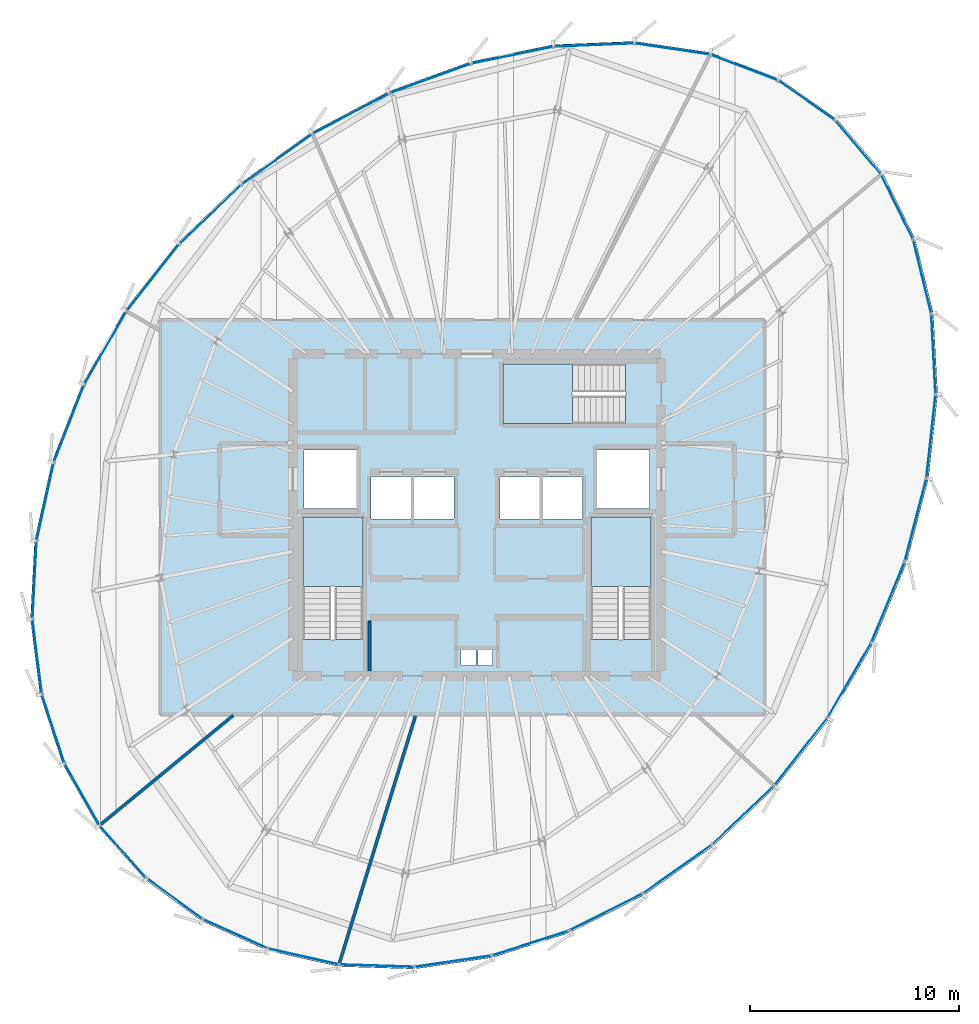
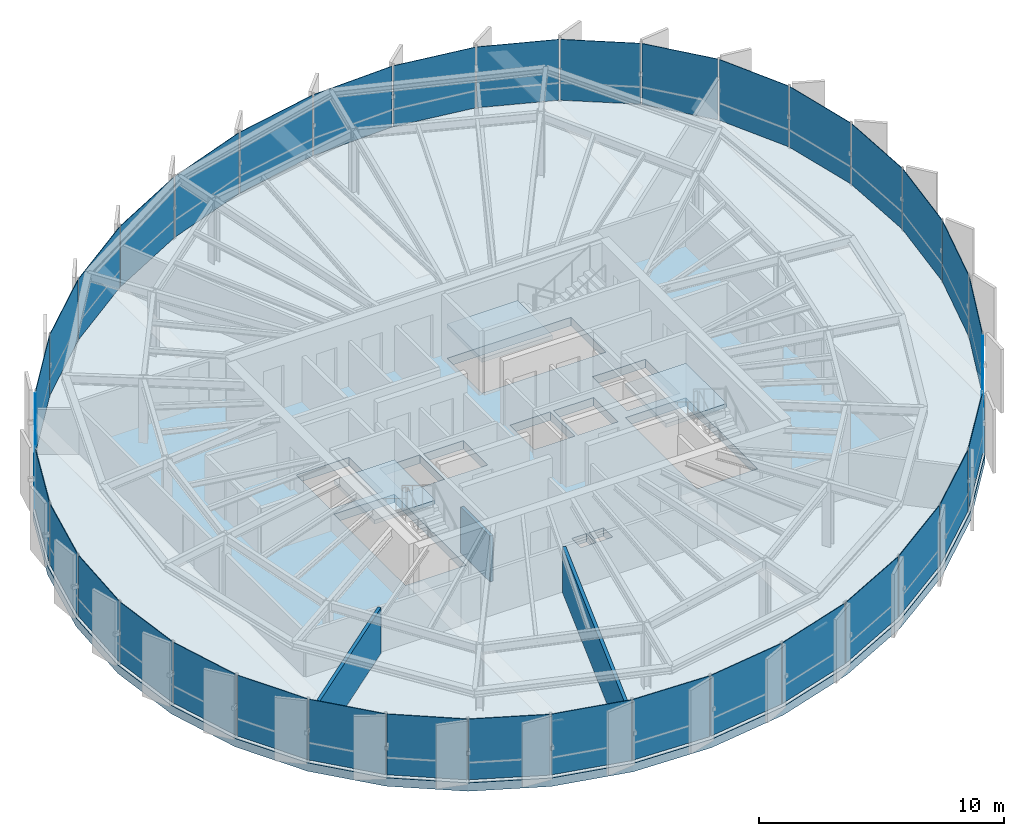
# One storey, part 28 of 36: 36 plates, 4 slabs, 3 walls, 9 elements without a shape of their own.
"""IFC4 building model written with IfcOpenShell, lengths in metres."""

from ifc_helpers import new_model, si_unit, direction, frame, frame_2d, origin, origin_2d, place, context, subcontext, project, spatial, polyline, rectangle, outline, extrude, source, transform, mapped, material, layer, layer_set, type_object, element, aggregate, save


model = new_model("IFC4")

# Units and contexts
model_context = context("Model", 3, precision=1e-05, world=origin(), true_north=direction((0.0, 1.0)))
body_context = subcontext(model_context, "Body", "Model", "MODEL_VIEW")
ifc_project = project(units=[si_unit("LENGTHUNIT", "METRE"), si_unit("AREAUNIT", "SQUARE_METRE"), si_unit("VOLUMEUNIT", "CUBIC_METRE"), si_unit("PLANEANGLEUNIT", "RADIAN"), si_unit("MASSUNIT", "GRAM", prefix="KILO"), si_unit("THERMODYNAMICTEMPERATUREUNIT", "KELVIN")], contexts=[model_context])

# Site, building, storey
site_placement = place(None, origin())
site = spatial("IfcSite", under=ifc_project, at=site_placement, CompositionType="ELEMENT")
building_placement = place(site_placement, origin())
building = spatial("IfcBuilding", under=site, at=building_placement, Name="Kethvar Cultural Tower", CompositionType="ELEMENT")
storey_placement = place(building_placement, frame((0.0, 0.0, 228.39990234375)))
storey = spatial("IfcBuildingStorey", under=building, at=storey_placement, Name="L59", CompositionType="ELEMENT", Elevation=228.39990234375)

# Stair, slab
ifc_material_1 = material(Name="Concrete C40/50", Category="concrete")
stair_type = type_object("IfcStairType", Name="ST-DOGLEG-135", PredefinedType="HALF_TURN_STAIR", material=ifc_material_1)
stair_1_placement = place(storey_placement, origin())
stair_1 = element("IfcStair", 1, at=stair_1_placement, inside=storey, type_object=stair_type, Name="L59 Core Exit Stair 1", PredefinedType="HALF_TURN_STAIR")
ifc_layer_1 = layer(ifc_material_1, 0.199951171875, Name="Concrete C40/50", Category="concrete")
ifc_layer_set_1 = layer_set([ifc_layer_1], Name="Concrete C40/50 (200 mm)")
slab_type_1 = type_object("IfcSlabType", Name="SL-STAIR-LANDING-200", PredefinedType="LANDING", material=ifc_layer_set_1)
slab_1_placement = place(storey_placement, frame((0.0, 0.0, 1.525146484375)))
slab_1 = element("IfcSlab", 2, at=slab_1_placement, type_object=slab_type_1, Name="ST-01 landing 1", PredefinedType="LANDING", context=body_context, shape_type="SweptSolid", body=[
    extrude(outline(polyline([(41.35009765625, 24.3701171875), (41.35009765625, 27.699951171875), (38.489990234375, 27.699951171875), (38.489990234375, 24.3701171875), (41.35009765625, 24.3701171875)])), origin(), (0.0, 0.0, 1.0), 0.199951171875),
])
aggregate(stair_1, [slab_1])

stair_2_placement = place(storey_placement, origin())
stair_2 = element("IfcStair", 3, at=stair_2_placement, inside=storey, type_object=stair_type, Name="L59 Core Exit Stair 2", PredefinedType="HALF_TURN_STAIR")
slab_2_placement = place(storey_placement, frame((0.0, 0.0, 1.525146484375)))
slab_2 = element("IfcSlab", 4, at=slab_2_placement, type_object=slab_type_1, Name="ST-02 landing 1", PredefinedType="LANDING", context=body_context, shape_type="SweptSolid", body=[
    extrude(outline(polyline([(55.110107421875, 24.3701171875), (55.110107421875, 27.699951171875), (52.25, 27.699951171875), (52.25, 24.3701171875), (55.110107421875, 24.3701171875)])), origin(), (0.0, 0.0, 1.0), 0.199951171875),
])
aggregate(stair_2, [slab_2])

stair_3_placement = place(storey_placement, origin())
stair_3 = element("IfcStair", 5, at=stair_3_placement, inside=storey, type_object=stair_type, Name="L59 Core Exit Stair 3", PredefinedType="HALF_TURN_STAIR")
slab_3_placement = place(storey_placement, frame((0.0, 0.0, 1.525146484375)))
slab_3 = element("IfcSlab", 6, at=slab_3_placement, type_object=slab_type_1, Name="ST-03 landing 1", PredefinedType="LANDING", context=body_context, shape_type="SweptSolid", body=[
    extrude(outline(polyline([(51.3798828125, 35.010009765625), (48.050048828125, 35.010009765625), (48.050048828125, 32.14990234375), (51.3798828125, 32.14990234375), (51.3798828125, 35.010009765625)])), origin(), (0.0, 0.0, 1.0), 0.199951171875),
])
aggregate(stair_3, [slab_3])

# Slab
ifc_material_2 = material(Name="Concrete C50/60", Category="concrete")
ifc_layer_2 = layer(ifc_material_2, 0.419921875, Name="Concrete C50/60", Category="concrete")
ifc_layer_set_2 = layer_set([ifc_layer_2], Name="Concrete C50/60 (420 mm)")
slab_type_2 = type_object("IfcSlabType", Name="SL-TRANS-420", PredefinedType="FLOOR", material=ifc_layer_set_2)
slab_4_placement = place(storey_placement, frame((0.0, 0.0, -0.419921875)))
element("IfcSlab", 7, at=slab_4_placement, inside=storey, type_object=slab_type_2, Name="L59 Structural Floor Slab", PredefinedType="FLOOR", context=body_context, shape_type="SweptSolid", body=[
    extrude(outline(polyline([(64.000732421875, 46.70361328125), (61.22900390625, 48.64013671875), (57.96533203125, 49.885009765625), (54.328125, 50.4208984375), (50.455322265625, 50.261962890625), (46.4951171875, 49.44677734375), (42.59521484375, 48.02978515625), (38.89208984375, 46.07421875), (35.503173828125, 43.644287109375), (32.51611328125, 40.79736328125), (29.97998046875, 37.57421875), (27.954833984375, 34.05419921875), (26.50244140625, 30.343994140625), (25.66650390625, 26.556396484375), (25.472900390625, 22.806884765625), (25.927490234375, 19.208984375), (27.01611328125, 15.8720703125), (28.705810546875, 12.8974609375), (30.9453125, 10.375732421875), (33.66650390625, 8.383544921875), (36.78662109375, 6.981201171875), (40.211181640625, 6.21142578125), (43.8359375, 6.09765625), (47.55078125, 6.643310546875), (51.242919921875, 7.831787109375), (54.7998046875, 9.626953125), (58.11376953125, 11.974365234375), (61.083984375, 14.802490234375), (63.636962890625, 18.04443359375), (65.7373046875, 21.647216796875), (67.335693359375, 25.517578125), (68.37939453125, 29.533447265625), (68.818359375, 33.552978515625), (68.612060546875, 37.423583984375), (67.736083984375, 40.994384765625), (66.189697265625, 44.126220703125), (64.000732421875, 46.70361328125)]), holes=[polyline([(38.489990234375, 21.85009765625), (38.489990234375, 27.699951171875), (41.35009765625, 27.699951171875), (41.35009765625, 21.85009765625), (38.489990234375, 21.85009765625)]), polyline([(52.25, 21.85009765625), (52.25, 27.699951171875), (55.110107421875, 27.699951171875), (55.110107421875, 21.85009765625), (52.25, 21.85009765625)]), polyline([(53.89990234375, 32.14990234375), (48.050048828125, 32.14990234375), (48.050048828125, 35.010009765625), (53.89990234375, 35.010009765625), (53.89990234375, 32.14990234375)]), polyline([(41.75, 29.60009765625), (43.64990234375, 29.60009765625), (43.64990234375, 27.60009765625), (41.75, 27.60009765625), (41.75, 29.60009765625)]), polyline([(43.800048828125, 29.60009765625), (45.699951171875, 29.60009765625), (45.699951171875, 27.60009765625), (43.800048828125, 27.60009765625), (43.800048828125, 29.60009765625)]), polyline([(47.89990234375, 29.60009765625), (49.800048828125, 29.60009765625), (49.800048828125, 27.60009765625), (47.89990234375, 27.60009765625), (47.89990234375, 29.60009765625)]), polyline([(49.949951171875, 29.60009765625), (51.85009765625, 29.60009765625), (51.85009765625, 27.60009765625), (49.949951171875, 27.60009765625), (49.949951171875, 29.60009765625)]), polyline([(38.550048828125, 30.89990234375), (41.050048828125, 30.89990234375), (41.050048828125, 28.10009765625), (38.550048828125, 28.10009765625), (38.550048828125, 30.89990234375)]), polyline([(52.550048828125, 30.89990234375), (55.050048828125, 30.89990234375), (55.050048828125, 28.10009765625), (52.550048828125, 28.10009765625), (52.550048828125, 30.89990234375)]), polyline([(46.050048828125, 21.35009765625), (46.75, 21.35009765625), (46.75, 20.60009765625), (46.050048828125, 20.60009765625), (46.050048828125, 21.35009765625)]), polyline([(46.85009765625, 21.35009765625), (47.550048828125, 21.35009765625), (47.550048828125, 20.60009765625), (46.85009765625, 20.60009765625), (46.85009765625, 21.35009765625)])]), origin(), (0.0, 0.0, 1.0), 0.419921875),
])

# Curtain wall, plate
ifc_material_3 = material(Name="Aluminium 6063-T6", Category="aluminium")
ifc_layer_3 = layer(ifc_material_3, 0.179931640625, Name="Aluminium 6063-T6", Category="aluminium")
ifc_layer_set_3 = layer_set([ifc_layer_3], Name="Aluminium 6063-T6 (180 mm)")
curtain_wall_type = type_object("IfcCurtainWallType", Name="CW-SYS-05-Z56", PredefinedType="NOTDEFINED", material=ifc_layer_set_3)
curtain_wall_1_placement = place(storey_placement, origin())
curtain_wall_1 = element("IfcCurtainWall", 8, at=curtain_wall_1_placement, inside=storey, type_object=curtain_wall_type, Name="L59 Curtain Wall Run 01", PredefinedType="NOTDEFINED")
ifc_material_4 = material(Name="Insulated Low-E Solar Glass", Category="glass")
ifc_layer_4 = layer(ifc_material_4, 0.028076171875, Name="Insulated Low-E Solar Glass", Category="glass")
ifc_layer_set_4 = layer_set([ifc_layer_4], Name="Insulated Low-E Solar Glass (28 mm)")
plate_type = type_object("IfcPlateType", Name="CW-SYS-05-Z56-PNL", PredefinedType="CURTAIN_PANEL", material=ifc_layer_set_4)
shared_shape_1 = source(origin(), body_context, "Body", "SweptSolid", [
    extrude(rectangle(XDim=3.30224609375, YDim=0.028076171875, at=origin_2d()), origin(), (0.0, 0.0, 1.0), 3.030029296875),
])
plate_1_placement = place(storey_placement, frame((62.5576171875, 47.58984375, 0.08984375), z_axis=(0.0, 0.0, 1.0), x_axis=(-0.819722254284, 0.572761229337, 0.0)))
plate_1 = element("IfcPlate", 9, at=plate_1_placement, type_object=plate_type, Name="CW-L59-R01 Vision Glazing Panel 1", PredefinedType="CURTAIN_PANEL", context=body_context, shape_type="MappedRepresentation", body=[
    mapped(shared_shape_1, transform((0.0, 0.0, 0.0), scale=1.0)),
])

curtain_wall_2_placement = place(storey_placement, origin())
curtain_wall_2 = element("IfcCurtainWall", 10, at=curtain_wall_2_placement, inside=storey, type_object=curtain_wall_type, Name="L59 Curtain Wall Run 06", PredefinedType="NOTDEFINED")
plate_2_placement = place(storey_placement, frame((65.01904296875, 45.35009765625, 0.08984375), z_axis=(0.0, 0.0, 1.0), x_axis=(-0.647361973467, 0.762182704677, 0.0)))
plate_2 = element("IfcPlate", 11, at=plate_2_placement, type_object=plate_type, Name="CW-L59-R06 Vision Glazing Panel 6", PredefinedType="CURTAIN_PANEL", context=body_context, shape_type="MappedRepresentation", body=[
    mapped(shared_shape_1, transform((0.0, 0.0, 0.0), scale=1.0)),
])

# Plate
shared_shape_2 = source(origin(), body_context, "Body", "SweptSolid", [
    extrude(rectangle(XDim=3.413818359375, YDim=0.028076171875, at=origin_2d()), origin(), (0.0, 0.0, 1.0), 3.030029296875),
])
plate_3_placement = place(storey_placement, frame((59.5615234375, 49.169189453125, 0.08984375), z_axis=(0.0, 0.0, 1.0), x_axis=(-0.934341383009, 0.356379264263, 0.0)))
plate_3 = element("IfcPlate", 12, at=plate_3_placement, type_object=plate_type, Name="CW-L59-R01 Vision Glazing Panel 2", PredefinedType="CURTAIN_PANEL", context=body_context, shape_type="MappedRepresentation", body=[
    mapped(shared_shape_2, transform((0.0, 0.0, 0.0), scale=1.0)),
])

plate_4_placement = place(storey_placement, frame((66.873291015625, 42.51611328125, 0.08984375), z_axis=(0.0, 0.0, 1.0), x_axis=(-0.442726932093, 0.896656491417, 0.0)))
plate_4 = element("IfcPlate", 13, at=plate_4_placement, type_object=plate_type, Name="CW-L59-R06 Vision Glazing Panel 5", PredefinedType="CURTAIN_PANEL", context=body_context, shape_type="MappedRepresentation", body=[
    mapped(shared_shape_2, transform((0.0, 0.0, 0.0), scale=1.0)),
])

shared_shape_3 = source(origin(), body_context, "Body", "SweptSolid", [
    extrude(rectangle(XDim=3.59716796875, YDim=0.028076171875, at=origin_2d()), origin(), (0.0, 0.0, 1.0), 3.030029296875),
])
plate_5_placement = place(storey_placement, frame((56.132080078125, 50.053955078125, 0.08984375), z_axis=(0.0, 0.0, 1.0), x_axis=(-0.989318177481, 0.145772232289, 0.0)))
plate_5 = element("IfcPlate", 14, at=plate_5_placement, type_object=plate_type, Name="CW-L59-R01 Vision Glazing Panel 3", PredefinedType="CURTAIN_PANEL", context=body_context, shape_type="MappedRepresentation", body=[
    mapped(shared_shape_3, transform((0.0, 0.0, 0.0), scale=1.0)),
])

shared_shape_4 = source(origin(), body_context, "Body", "SweptSolid", [
    extrude(rectangle(XDim=3.796875, YDim=0.028076171875, at=origin_2d()), origin(), (0.0, 0.0, 1.0), 3.030029296875),
])
plate_6_placement = place(storey_placement, frame((52.39599609375, 50.24169921875, 0.08984375), z_axis=(0.0, 0.0, 1.0), x_axis=(-0.999159708556, -0.040986300124, 0.0)))
plate_6 = element("IfcPlate", 15, at=plate_6_placement, type_object=plate_type, Name="CW-L59-R01 Vision Glazing Panel 4", PredefinedType="CURTAIN_PANEL", context=body_context, shape_type="MappedRepresentation", body=[
    mapped(shared_shape_4, transform((0.0, 0.0, 0.0), scale=1.0)),
])

shared_shape_5 = source(origin(), body_context, "Body", "SweptSolid", [
    extrude(rectangle(XDim=3.964111328125, YDim=0.028076171875, at=origin_2d()), origin(), (0.0, 0.0, 1.0), 3.030029296875),
])
plate_7_placement = place(storey_placement, frame((48.495361328125, 49.75634765625, 0.08984375), z_axis=(0.0, 0.0, 1.0), x_axis=(-0.979459274561, -0.201642082605, 0.0)))
plate_7 = element("IfcPlate", 16, at=plate_7_placement, type_object=plate_type, Name="CW-L59-R01 Vision Glazing Panel 5", PredefinedType="CURTAIN_PANEL", context=body_context, shape_type="MappedRepresentation", body=[
    mapped(shared_shape_5, transform((0.0, 0.0, 0.0), scale=1.0)),
])

plate_8_placement = place(storey_placement, frame((68.49951171875, 31.55419921875, 0.08984375), z_axis=(0.0, 0.0, 1.0), x_axis=(0.108606627783, 0.994084805437, 0.0)))
plate_8 = element("IfcPlate", 17, at=plate_8_placement, type_object=plate_type, Name="CW-L59-R06 Vision Glazing Panel 2", PredefinedType="CURTAIN_PANEL", context=body_context, shape_type="MappedRepresentation", body=[
    mapped(shared_shape_5, transform((0.0, 0.0, 0.0), scale=1.0)),
])

shared_shape_6 = source(origin(), body_context, "Body", "SweptSolid", [
    extrude(rectangle(XDim=4.070068359375, YDim=0.028076171875, at=origin_2d()), origin(), (0.0, 0.0, 1.0), 3.030029296875),
])
plate_9_placement = place(storey_placement, frame((44.5791015625, 48.644287109375, 0.08984375), z_axis=(0.0, 0.0, 1.0), x_axis=(-0.939883494301, -0.341495266644, 0.0)))
plate_9 = element("IfcPlate", 18, at=plate_9_placement, type_object=plate_type, Name="CW-L59-R01 Vision Glazing Panel 6", PredefinedType="CURTAIN_PANEL", context=body_context, shape_type="MappedRepresentation", body=[
    mapped(shared_shape_6, transform((0.0, 0.0, 0.0), scale=1.0)),
])

aggregate(curtain_wall_1, [plate_1, plate_3, plate_5, plate_6, plate_7, plate_9])

# Curtain wall, plate
curtain_wall_3_placement = place(storey_placement, origin())
curtain_wall_3 = element("IfcCurtainWall", 19, at=curtain_wall_3_placement, inside=storey, type_object=curtain_wall_type, Name="L59 Curtain Wall Run 02", PredefinedType="NOTDEFINED")
shared_shape_7 = source(origin(), body_context, "Body", "SweptSolid", [
    extrude(rectangle(XDim=4.1083984375, YDim=0.028076171875, at=origin_2d()), origin(), (0.0, 0.0, 1.0), 3.030029296875),
])
plate_10_placement = place(storey_placement, frame((40.790283203125, 46.96337890625, 0.08984375), z_axis=(0.0, 0.0, 1.0), x_axis=(-0.884263311, -0.46698864742, 0.0)))
plate_10 = element("IfcPlate", 20, at=plate_10_placement, type_object=plate_type, Name="CW-L59-R02 Vision Glazing Panel 1", PredefinedType="CURTAIN_PANEL", context=body_context, shape_type="MappedRepresentation", body=[
    mapped(shared_shape_7, transform((0.0, 0.0, 0.0), scale=1.0)),
])

curtain_wall_4_placement = place(storey_placement, origin())
curtain_wall_4 = element("IfcCurtainWall", 21, at=curtain_wall_4_placement, inside=storey, type_object=curtain_wall_type, Name="L59 Curtain Wall Run 05", PredefinedType="NOTDEFINED")
plate_11_placement = place(storey_placement, frame((66.444091796875, 23.62060546875, 0.08984375), z_axis=(0.0, 0.0, 1.0), x_axis=(0.381715738328, 0.924279771018, 0.0)))
plate_11 = element("IfcPlate", 22, at=plate_11_placement, type_object=plate_type, Name="CW-L59-R05 Vision Glazing Panel 6", PredefinedType="CURTAIN_PANEL", context=body_context, shape_type="MappedRepresentation", body=[
    mapped(shared_shape_7, transform((0.0, 0.0, 0.0), scale=1.0)),
])

# Plate
shared_shape_8 = source(origin(), body_context, "Body", "SweptSolid", [
    extrude(rectangle(XDim=4.091064453125, YDim=0.028076171875, at=origin_2d()), origin(), (0.0, 0.0, 1.0), 3.030029296875),
])
plate_12_placement = place(storey_placement, frame((37.256103515625, 44.778076171875, 0.08984375), z_axis=(0.0, 0.0, 1.0), x_axis=(-0.812683994442, -0.582704663769, 0.0)))
plate_12 = element("IfcPlate", 23, at=plate_12_placement, type_object=plate_type, Name="CW-L59-R02 Vision Glazing Panel 2", PredefinedType="CURTAIN_PANEL", context=body_context, shape_type="MappedRepresentation", body=[
    mapped(shared_shape_8, transform((0.0, 0.0, 0.0), scale=1.0)),
])

plate_13_placement = place(storey_placement, frame((64.600830078125, 19.89599609375, 0.08984375), z_axis=(0.0, 0.0, 1.0), x_axis=(0.503623201636, 0.863923417193, 0.0)))
plate_13 = element("IfcPlate", 24, at=plate_13_placement, type_object=plate_type, Name="CW-L59-R05 Vision Glazing Panel 5", PredefinedType="CURTAIN_PANEL", context=body_context, shape_type="MappedRepresentation", body=[
    mapped(shared_shape_8, transform((0.0, 0.0, 0.0), scale=1.0)),
])

shared_shape_9 = source(origin(), body_context, "Body", "SweptSolid", [
    extrude(rectangle(XDim=4.047119140625, YDim=0.028076171875, at=origin_2d()), origin(), (0.0, 0.0, 1.0), 3.030029296875),
])
plate_14_placement = place(storey_placement, frame((34.07861328125, 42.1484375, 0.08984375), z_axis=(0.0, 0.0, 1.0), x_axis=(-0.723907013164, -0.689897554925, 0.0)))
plate_14 = element("IfcPlate", 25, at=plate_14_placement, type_object=plate_type, Name="CW-L59-R02 Vision Glazing Panel 3", PredefinedType="CURTAIN_PANEL", context=body_context, shape_type="MappedRepresentation", body=[
    mapped(shared_shape_9, transform((0.0, 0.0, 0.0), scale=1.0)),
])

shared_shape_10 = source(origin(), body_context, "Body", "SweptSolid", [
    extrude(rectangle(XDim=4.022216796875, YDim=0.028076171875, at=origin_2d()), origin(), (0.0, 0.0, 1.0), 3.030029296875),
])
plate_15_placement = place(storey_placement, frame((31.32666015625, 39.1240234375, 0.08984375), z_axis=(0.0, 0.0, 1.0), x_axis=(-0.6183809634, -0.785878479222, 0.0)))
plate_15 = element("IfcPlate", 26, at=plate_15_placement, type_object=plate_type, Name="CW-L59-R02 Vision Glazing Panel 4", PredefinedType="CURTAIN_PANEL", context=body_context, shape_type="MappedRepresentation", body=[
    mapped(shared_shape_10, transform((0.0, 0.0, 0.0), scale=1.0)),
])

plate_16_placement = place(storey_placement, frame((59.52978515625, 13.4609375, 0.08984375), z_axis=(0.0, 0.0, 1.0), x_axis=(0.72419593326, 0.689594264949, 0.0)))
plate_16 = element("IfcPlate", 27, at=plate_16_placement, type_object=plate_type, Name="CW-L59-R05 Vision Glazing Panel 3", PredefinedType="CURTAIN_PANEL", context=body_context, shape_type="MappedRepresentation", body=[
    mapped(shared_shape_10, transform((0.0, 0.0, 0.0), scale=1.0)),
])

shared_shape_11 = source(origin(), body_context, "Body", "SweptSolid", [
    extrude(rectangle(XDim=3.981689453125, YDim=0.028076171875, at=origin_2d()), origin(), (0.0, 0.0, 1.0), 3.030029296875),
])
plate_17_placement = place(storey_placement, frame((29.053955078125, 35.764404296875, 0.08984375), z_axis=(0.0, 0.0, 1.0), x_axis=(-0.49866929125, -0.866792326895, 0.0)))
plate_17 = element("IfcPlate", 28, at=plate_17_placement, type_object=plate_type, Name="CW-L59-R02 Vision Glazing Panel 5", PredefinedType="CURTAIN_PANEL", context=body_context, shape_type="MappedRepresentation", body=[
    mapped(shared_shape_11, transform((0.0, 0.0, 0.0), scale=1.0)),
])

shared_shape_12 = source(origin(), body_context, "Body", "SweptSolid", [
    extrude(rectangle(XDim=3.905029296875, YDim=0.028076171875, at=origin_2d()), origin(), (0.0, 0.0, 1.0), 3.030029296875),
])
plate_18_placement = place(storey_placement, frame((27.32177734375, 32.16259765625, 0.08984375), z_axis=(0.0, 0.0, 1.0), x_axis=(-0.364535510058, -0.931189487649, 0.0)))
plate_18 = element("IfcPlate", 29, at=plate_18_placement, type_object=plate_type, Name="CW-L59-R02 Vision Glazing Panel 6", PredefinedType="CURTAIN_PANEL", context=body_context, shape_type="MappedRepresentation", body=[
    mapped(shared_shape_12, transform((0.0, 0.0, 0.0), scale=1.0)),
])

aggregate(curtain_wall_3, [plate_10, plate_12, plate_14, plate_15, plate_17, plate_18])

plate_19_placement = place(storey_placement, frame((52.976318359375, 8.818603515625, 0.08984375), z_axis=(0.0, 0.0, 1.0), x_axis=(0.892743150022, 0.450565941999, 0.0)))
plate_19 = element("IfcPlate", 30, at=plate_19_placement, type_object=plate_type, Name="CW-L59-R05 Vision Glazing Panel 1", PredefinedType="CURTAIN_PANEL", context=body_context, shape_type="MappedRepresentation", body=[
    mapped(shared_shape_12, transform((0.0, 0.0, 0.0), scale=1.0)),
])

# Curtain wall, plates
curtain_wall_5_placement = place(storey_placement, origin())
curtain_wall_5 = element("IfcCurtainWall", 31, at=curtain_wall_5_placement, inside=storey, type_object=curtain_wall_type, Name="L59 Curtain Wall Run 03", PredefinedType="NOTDEFINED")
shared_shape_13 = source(origin(), body_context, "Body", "SweptSolid", [
    extrude(rectangle(XDim=3.799560546875, YDim=0.028076171875, at=origin_2d()), origin(), (0.0, 0.0, 1.0), 3.030029296875),
])
plate_20_placement = place(storey_placement, frame((26.18212890625, 28.4287109375, 0.08984375), z_axis=(0.0, 0.0, 1.0), x_axis=(-0.215485294241, -0.976507085466, 0.0)))
plate_20 = element("IfcPlate", 32, at=plate_20_placement, type_object=plate_type, Name="CW-L59-R03 Vision Glazing Panel 1", PredefinedType="CURTAIN_PANEL", context=body_context, shape_type="MappedRepresentation", body=[
    mapped(shared_shape_13, transform((0.0, 0.0, 0.0), scale=1.0)),
])
shared_shape_14 = source(origin(), body_context, "Body", "SweptSolid", [
    extrude(rectangle(XDim=3.675537109375, YDim=0.028076171875, at=origin_2d()), origin(), (0.0, 0.0, 1.0), 3.030029296875),
])
plate_21_placement = place(storey_placement, frame((25.669677734375, 24.676513671875, 0.08984375), z_axis=(0.0, 0.0, 1.0), x_axis=(-0.051569048457, -0.998669431414, 0.0)))
plate_21 = element("IfcPlate", 33, at=plate_21_placement, type_object=plate_type, Name="CW-L59-R03 Vision Glazing Panel 2", PredefinedType="CURTAIN_PANEL", context=body_context, shape_type="MappedRepresentation", body=[
    mapped(shared_shape_14, transform((0.0, 0.0, 0.0), scale=1.0)),
])

# Curtain wall, plate
curtain_wall_6_placement = place(storey_placement, origin())
curtain_wall_6 = element("IfcCurtainWall", 34, at=curtain_wall_6_placement, inside=storey, type_object=curtain_wall_type, Name="L59 Curtain Wall Run 04", PredefinedType="NOTDEFINED")
plate_22_placement = place(storey_placement, frame((45.6787109375, 6.469482421875, 0.08984375), z_axis=(0.0, 0.0, 1.0), x_axis=(0.989381688438, 0.145340546938, 0.0)))
plate_22 = element("IfcPlate", 35, at=plate_22_placement, type_object=plate_type, Name="CW-L59-R04 Vision Glazing Panel 5", PredefinedType="CURTAIN_PANEL", context=body_context, shape_type="MappedRepresentation", body=[
    mapped(shared_shape_14, transform((0.0, 0.0, 0.0), scale=1.0)),
])

# Plate
shared_shape_15 = source(origin(), body_context, "Body", "SweptSolid", [
    extrude(rectangle(XDim=3.547119140625, YDim=0.028076171875, at=origin_2d()), origin(), (0.0, 0.0, 1.0), 3.030029296875),
])
plate_23_placement = place(storey_placement, frame((25.79931640625, 21.0205078125, 0.08984375), z_axis=(0.0, 0.0, 1.0), x_axis=(0.125298602152, -0.992119075665, 0.0)))
plate_23 = element("IfcPlate", 36, at=plate_23_placement, type_object=plate_type, Name="CW-L59-R03 Vision Glazing Panel 3", PredefinedType="CURTAIN_PANEL", context=body_context, shape_type="MappedRepresentation", body=[
    mapped(shared_shape_15, transform((0.0, 0.0, 0.0), scale=1.0)),
])

shared_shape_16 = source(origin(), body_context, "Body", "SweptSolid", [
    extrude(rectangle(XDim=3.430908203125, YDim=0.028076171875, at=origin_2d()), origin(), (0.0, 0.0, 1.0), 3.030029296875),
])
plate_24_placement = place(storey_placement, frame((26.56689453125, 17.571533203125, 0.08984375), z_axis=(0.0, 0.0, 1.0), x_axis=(0.310145513072, -0.950689097824, 0.0)))
plate_24 = element("IfcPlate", 37, at=plate_24_placement, type_object=plate_type, Name="CW-L59-R03 Vision Glazing Panel 4", PredefinedType="CURTAIN_PANEL", context=body_context, shape_type="MappedRepresentation", body=[
    mapped(shared_shape_16, transform((0.0, 0.0, 0.0), scale=1.0)),
])

plate_25_placement = place(storey_placement, frame((38.52099609375, 6.69384765625, 0.08984375), z_axis=(0.0, 0.0, 1.0), x_axis=(0.975661004456, -0.219284300357, 0.0)))
plate_25 = element("IfcPlate", 38, at=plate_25_placement, type_object=plate_type, Name="CW-L59-R04 Vision Glazing Panel 3", PredefinedType="CURTAIN_PANEL", context=body_context, shape_type="MappedRepresentation", body=[
    mapped(shared_shape_16, transform((0.0, 0.0, 0.0), scale=1.0)),
])

shared_shape_17 = source(origin(), body_context, "Body", "SweptSolid", [
    extrude(rectangle(XDim=3.341796875, YDim=0.028076171875, at=origin_2d()), origin(), (0.0, 0.0, 1.0), 3.030029296875),
])
plate_26_placement = place(storey_placement, frame((27.94775390625, 14.43408203125, 0.08984375), z_axis=(0.0, 0.0, 1.0), x_axis=(0.49392669096, -0.869503550285, 0.0)))
plate_26 = element("IfcPlate", 39, at=plate_26_placement, type_object=plate_type, Name="CW-L59-R03 Vision Glazing Panel 5", PredefinedType="CURTAIN_PANEL", context=body_context, shape_type="MappedRepresentation", body=[
    mapped(shared_shape_17, transform((0.0, 0.0, 0.0), scale=1.0)),
])

plate_27_placement = place(storey_placement, frame((35.267578125, 7.773681640625, 0.08984375), z_axis=(0.0, 0.0, 1.0), x_axis=(0.912120116172, -0.409923033842, 0.0)))
plate_27 = element("IfcPlate", 40, at=plate_27_placement, type_object=plate_type, Name="CW-L59-R04 Vision Glazing Panel 2", PredefinedType="CURTAIN_PANEL", context=body_context, shape_type="MappedRepresentation", body=[
    mapped(shared_shape_17, transform((0.0, 0.0, 0.0), scale=1.0)),
])

shared_shape_18 = source(origin(), body_context, "Body", "SweptSolid", [
    extrude(rectangle(XDim=3.29345703125, YDim=0.028076171875, at=origin_2d()), origin(), (0.0, 0.0, 1.0), 3.030029296875),
])
plate_28_placement = place(storey_placement, frame((29.900146484375, 11.703125, 0.08984375), z_axis=(0.0, 0.0, 1.0), x_axis=(0.664030618491, -0.747705381622, 0.0)))
plate_28 = element("IfcPlate", 41, at=plate_28_placement, type_object=plate_type, Name="CW-L59-R03 Vision Glazing Panel 6", PredefinedType="CURTAIN_PANEL", context=body_context, shape_type="MappedRepresentation", body=[
    mapped(shared_shape_18, transform((0.0, 0.0, 0.0), scale=1.0)),
])

aggregate(curtain_wall_5, [plate_20, plate_21, plate_23, plate_24, plate_26, plate_28])

plate_29_placement = place(storey_placement, frame((32.364990234375, 9.46044921875, 0.08984375), z_axis=(0.0, 0.0, 1.0), x_axis=(0.806867530067, -0.590732417363, 0.0)))
plate_29 = element("IfcPlate", 42, at=plate_29_placement, type_object=plate_type, Name="CW-L59-R04 Vision Glazing Panel 1", PredefinedType="CURTAIN_PANEL", context=body_context, shape_type="MappedRepresentation", body=[
    mapped(shared_shape_18, transform((0.0, 0.0, 0.0), scale=1.0)),
])

shared_shape_19 = source(origin(), body_context, "Body", "SweptSolid", [
    extrude(rectangle(XDim=3.54736328125, YDim=0.028076171875, at=origin_2d()), origin(), (0.0, 0.0, 1.0), 3.030029296875),
])
plate_30_placement = place(storey_placement, frame((42.02685546875, 6.254638671875, 0.08984375), z_axis=(0.0, 0.0, 1.0), x_axis=(0.999507656199, -0.031375869698, 0.0)))
plate_30 = element("IfcPlate", 43, at=plate_30_placement, type_object=plate_type, Name="CW-L59-R04 Vision Glazing Panel 4", PredefinedType="CURTAIN_PANEL", context=body_context, shape_type="MappedRepresentation", body=[
    mapped(shared_shape_19, transform((0.0, 0.0, 0.0), scale=1.0)),
])

shared_shape_20 = source(origin(), body_context, "Body", "SweptSolid", [
    extrude(rectangle(XDim=3.79931640625, YDim=0.028076171875, at=origin_2d()), origin(), (0.0, 0.0, 1.0), 3.030029296875),
])
plate_31_placement = place(storey_placement, frame((49.3662109375, 7.332763671875, 0.08984375), z_axis=(0.0, 0.0, 1.0), x_axis=(0.951899702874, 0.306409783897, 0.0)))
plate_31 = element("IfcPlate", 44, at=plate_31_placement, type_object=plate_type, Name="CW-L59-R04 Vision Glazing Panel 6", PredefinedType="CURTAIN_PANEL", context=body_context, shape_type="MappedRepresentation", body=[
    mapped(shared_shape_20, transform((0.0, 0.0, 0.0), scale=1.0)),
])

aggregate(curtain_wall_6, [plate_29, plate_27, plate_25, plate_30, plate_22, plate_31])

shared_shape_21 = source(origin(), body_context, "Body", "SweptSolid", [
    extrude(rectangle(XDim=3.98193359375, YDim=0.028076171875, at=origin_2d()), origin(), (0.0, 0.0, 1.0), 3.030029296875),
])
plate_32_placement = place(storey_placement, frame((56.39892578125, 10.88232421875, 0.08984375), z_axis=(0.0, 0.0, 1.0), x_axis=(0.81602663434, 0.578014300902, 0.0)))
plate_32 = element("IfcPlate", 45, at=plate_32_placement, type_object=plate_type, Name="CW-L59-R05 Vision Glazing Panel 2", PredefinedType="CURTAIN_PANEL", context=body_context, shape_type="MappedRepresentation", body=[
    mapped(shared_shape_21, transform((0.0, 0.0, 0.0), scale=1.0)),
])

shared_shape_22 = source(origin(), body_context, "Body", "SweptSolid", [
    extrude(rectangle(XDim=4.04736328125, YDim=0.028076171875, at=origin_2d()), origin(), (0.0, 0.0, 1.0), 3.030029296875),
])
plate_33_placement = place(storey_placement, frame((62.281982421875, 16.4853515625, 0.08984375), z_axis=(0.0, 0.0, 1.0), x_axis=(0.618710097148, 0.785619383472, 0.0)))
plate_33 = element("IfcPlate", 46, at=plate_33_placement, type_object=plate_type, Name="CW-L59-R05 Vision Glazing Panel 4", PredefinedType="CURTAIN_PANEL", context=body_context, shape_type="MappedRepresentation", body=[
    mapped(shared_shape_22, transform((0.0, 0.0, 0.0), scale=1.0)),
])

aggregate(curtain_wall_4, [plate_19, plate_32, plate_16, plate_33, plate_13, plate_11])

shared_shape_23 = source(origin(), body_context, "Body", "SweptSolid", [
    extrude(rectangle(XDim=4.0703125, YDim=0.028076171875, at=origin_2d()), origin(), (0.0, 0.0, 1.0), 3.030029296875),
])
plate_34_placement = place(storey_placement, frame((67.7607421875, 27.550537109375, 0.08984375), z_axis=(0.0, 0.0, 1.0), x_axis=(0.251528848198, 0.967849801635, 0.0)))
plate_34 = element("IfcPlate", 47, at=plate_34_placement, type_object=plate_type, Name="CW-L59-R06 Vision Glazing Panel 1", PredefinedType="CURTAIN_PANEL", context=body_context, shape_type="MappedRepresentation", body=[
    mapped(shared_shape_23, transform((0.0, 0.0, 0.0), scale=1.0)),
])

shared_shape_24 = source(origin(), body_context, "Body", "SweptSolid", [
    extrude(rectangle(XDim=3.797119140625, YDim=0.028076171875, at=origin_2d()), origin(), (0.0, 0.0, 1.0), 3.030029296875),
])
plate_35_placement = place(storey_placement, frame((68.615478515625, 35.48291015625, 0.08984375), z_axis=(0.0, 0.0, 1.0), x_axis=(-0.053224833435, 0.998582553976, 0.0)))
plate_35 = element("IfcPlate", 48, at=plate_35_placement, type_object=plate_type, Name="CW-L59-R06 Vision Glazing Panel 3", PredefinedType="CURTAIN_PANEL", context=body_context, shape_type="MappedRepresentation", body=[
    mapped(shared_shape_24, transform((0.0, 0.0, 0.0), scale=1.0)),
])

shared_shape_25 = source(origin(), body_context, "Body", "SweptSolid", [
    extrude(rectangle(XDim=3.597412109375, YDim=0.028076171875, at=origin_2d()), origin(), (0.0, 0.0, 1.0), 3.030029296875),
])
plate_36_placement = place(storey_placement, frame((68.076904296875, 39.18505859375, 0.08984375), z_axis=(0.0, 0.0, 1.0), x_axis=(-0.238245305742, 0.971205011464, 0.0)))
plate_36 = element("IfcPlate", 49, at=plate_36_placement, type_object=plate_type, Name="CW-L59-R06 Vision Glazing Panel 4", PredefinedType="CURTAIN_PANEL", context=body_context, shape_type="MappedRepresentation", body=[
    mapped(shared_shape_25, transform((0.0, 0.0, 0.0), scale=1.0)),
])

aggregate(curtain_wall_2, [plate_34, plate_8, plate_35, plate_36, plate_4, plate_2])

# Walls
ifc_material_5 = material(Name="Gypsum Fireboard Partition")
ifc_layer_5 = layer(ifc_material_5, 0.14990234375, Name="Gypsum Fireboard Partition")
ifc_layer_set_5 = layer_set([ifc_layer_5], Name="Gypsum Fireboard Partition (150 mm)")
wall_type_1 = type_object("IfcWallType", Name="WL-FIRE-150", PredefinedType="PARTITIONING", material=ifc_layer_set_5)
wall_1_placement = place(storey_placement, frame((41.679931640625, 20.3349609375, 0.0), z_axis=(0.0, 0.0, 1.0), x_axis=(0.0, 1.0, 0.0)))
element("IfcWall", 50, at=wall_1_placement, inside=storey, type_object=wall_type_1, Name="L59 Reclaimed West Outer Wall", PredefinedType="PARTITIONING", context=body_context, shape_type="SweptSolid", body=[
    extrude(rectangle(XDim=2.39501953125, YDim=0.14990234375, at=frame_2d((1.197509765625, 0.0))), origin(), (0.0, 0.0, 1.0), 2.280029296875),
])
ifc_material_6 = material(Name="Gypsum Acoustic Partition")
ifc_layer_6 = layer(ifc_material_6, 0.14990234375, Name="Gypsum Acoustic Partition")
ifc_layer_set_6 = layer_set([ifc_layer_6], Name="Gypsum Acoustic Partition (150 mm)")
wall_type_2 = type_object("IfcWallType", Name="WL-PART-150", PredefinedType="PARTITIONING", material=ifc_layer_set_6)
wall_2_placement = place(storey_placement, frame((35.166015625, 18.21826171875, 0.0), z_axis=(0.0, 0.0, 1.0), x_axis=(-0.772174872744, -0.635410076961, 0.0)))
element("IfcWall", 51, at=wall_2_placement, inside=storey, type_object=wall_type_2, Name="L59 Radial Partition Wall 01", PredefinedType="PARTITIONING", context=body_context, shape_type="SweptSolid", body=[
    extrude(rectangle(XDim=8.179443359375, YDim=0.14990234375, at=frame_2d((4.08984375, 0.0))), origin(), (0.0, 0.0, 1.0), 2.280029296875),
])
wall_3_placement = place(storey_placement, frame((43.86767578125, 18.1923828125, 0.0), z_axis=(0.0, 0.0, 1.0), x_axis=(-0.293900937089, -0.955835885065, 0.0)))
element("IfcWall", 52, at=wall_3_placement, inside=storey, type_object=wall_type_2, Name="L59 Radial Partition Wall 02", PredefinedType="PARTITIONING", context=body_context, shape_type="SweptSolid", body=[
    extrude(rectangle(XDim=12.33984375, YDim=0.14990234375, at=frame_2d((6.169921875, 0.0))), origin(), (0.0, 0.0, 1.0), 2.280029296875),
])

save(model, "model.ifc")
